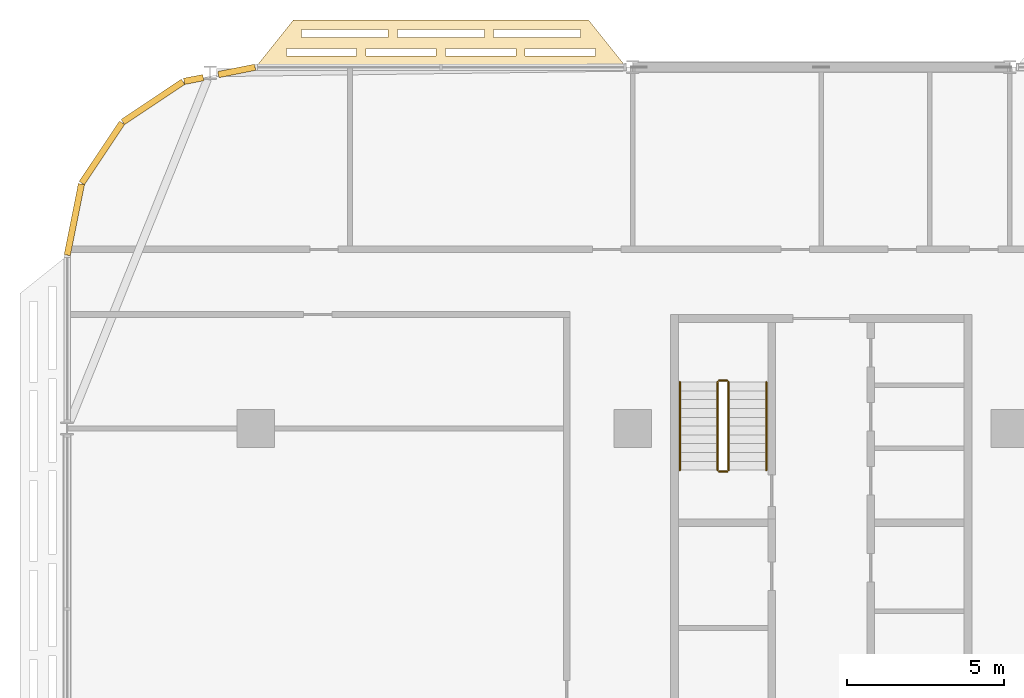
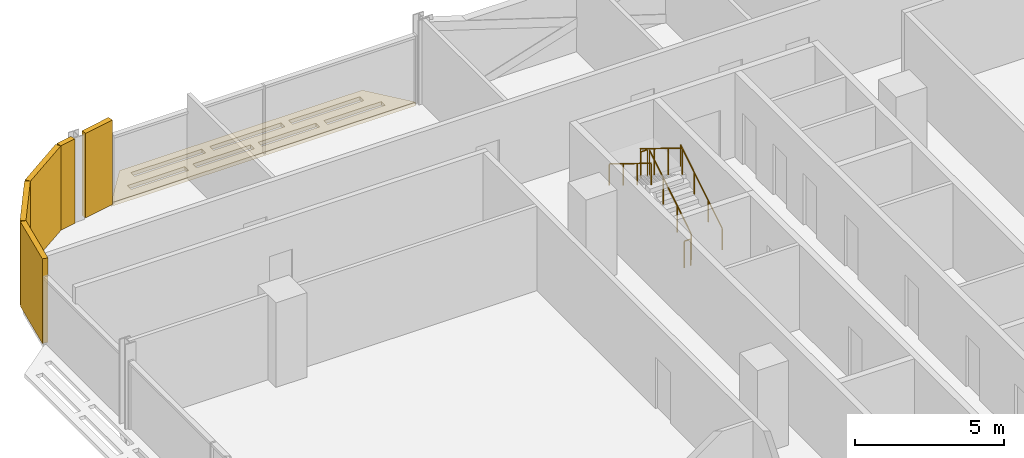
# One storey, part 24 of 27: 6 coverings, 6 railings.
"""IFC4 building model written with IfcOpenShell, lengths in metres."""

from ifc_helpers import new_model, si_unit, direction, frame, origin, origin_2d, place, context, subcontext, project, spatial, polyline, rectangle, circle, outline, extrude, material, layer, layer_set, type_object, element, save


model = new_model("IFC4")

# Units and contexts
model_context = context("Model", 3, precision=1e-05, world=origin(), true_north=direction((0.0, 1.0)))
body_context = subcontext(model_context, "Body", "Model", "MODEL_VIEW")
ifc_project = project(units=[si_unit("LENGTHUNIT", "METRE"), si_unit("AREAUNIT", "SQUARE_METRE"), si_unit("VOLUMEUNIT", "CUBIC_METRE"), si_unit("PLANEANGLEUNIT", "RADIAN"), si_unit("MASSUNIT", "GRAM", prefix="KILO")], contexts=[model_context])

# Site, building, storey
site_placement = place(None, origin())
site = spatial("IfcSite", under=ifc_project, at=site_placement, CompositionType="ELEMENT")
building_placement = place(site_placement, origin())
building = spatial("IfcBuilding", under=site, at=building_placement, Name="Mahtab Terrace Research Tower", CompositionType="ELEMENT")
storey_placement = place(building_placement, frame((0.0, 0.0, 182.0)))
storey = spatial("IfcBuildingStorey", under=building, at=storey_placement, Name="L43", CompositionType="ELEMENT", Elevation=182.0)

# Coverings
ifc_material_1 = material(Name="Black aluminium cladding panel", Category="aluminium")
ifc_layer_1 = layer(ifc_material_1, 0.199951171875)
ifc_layer_set_1 = layer_set([ifc_layer_1], Name="Black metal corner cladding 200")
covering_type_1 = type_object("IfcCoveringType", Name="Black metal corner cladding 200", PredefinedType="CLADDING", material=ifc_layer_set_1)
covering_1_placement = place(storey_placement, frame((-42.603271484375, 22.8798828125, 0.0), z_axis=(0.0, 0.0, 1.0), x_axis=(-0.980760981187, -0.195212442692, 0.0)))
element("IfcCovering", 1, at=covering_1_placement, inside=storey, type_object=covering_type_1, Name="Corner cladding L43 10", PredefinedType="CLADDING", context=body_context, shape_type="SweptSolid", body=[
    extrude(rectangle(XDim=1.1904296875, YDim=0.199951171875, at=origin_2d()), origin(), (0.0, 0.0, 1.0), 3.4599609375),
])
covering_2_placement = place(storey_placement, frame((-43.9716796875, 22.607666015625, 0.0), z_axis=(0.0, 0.0, 1.0), x_axis=(-0.980760981187, -0.195212442692, 0.0)))
element("IfcCovering", 2, at=covering_2_placement, inside=storey, type_object=covering_type_1, Name="Corner cladding L43 11", PredefinedType="CLADDING", context=body_context, shape_type="SweptSolid", body=[
    extrude(rectangle(XDim=0.62158203125, YDim=0.199951171875, at=origin_2d()), origin(), (0.0, 0.0, 1.0), 3.4599609375),
])
for number, where, z_axis, x_axis, name in (
    (3, (-45.26953125, 21.89306640625, 0.0), (0.0, 0.0, 1.0), (-0.831655794326, -0.555291490808, 0.0), "Corner cladding L43 12"),
    (4, (-46.89306640625, 20.26953125, 0.0), (0.0, 0.0, 1.0), (-0.555291490808, -0.831655794326, 0.0), "Corner cladding L43 13"),
    (5, (-47.771484375, 18.14794921875, 0.0), (0.0, 0.0, 1.0), (-0.195212442692, -0.980760981187, 0.0), "Corner cladding L43 14"),
):
    element("IfcCovering", number, at=place(storey_placement, frame(where, z_axis=z_axis, x_axis=x_axis)), inside=storey, type_object=covering_type_1, Name=name, PredefinedType="CLADDING", context=body_context, shape_type="SweptSolid", body=[
        extrude(rectangle(XDim=2.30126953125, YDim=0.199951171875, at=origin_2d()), origin(), (0.0, 0.0, 1.0), 3.4599609375),
    ])
ifc_material_2 = material(Name="Black anodised aluminium", Category="aluminium")
ifc_layer_2 = layer(ifc_material_2, 0.14990234375)
ifc_layer_set_2 = layer_set([ifc_layer_2], Name="Horizontal sunshade band")
covering_type_2 = type_object("IfcCoveringType", Name="Horizontal sunshade band", PredefinedType="CLADDING", material=ifc_layer_set_2)
covering_3_placement = place(storey_placement, frame((0.0, 0.0, -0.14990234375)))
element("IfcCovering", 6, at=covering_3_placement, inside=storey, type_object=covering_type_2, Name="Sunshade band L43 9", PredefinedType="CLADDING", context=body_context, shape_type="SweptSolid", body=[
    extrude(outline(polyline([(-30.2080078125, 23.0), (-42.0, 23.0), (-40.800048828125, 24.5), (-31.407958984375, 24.5), (-30.2080078125, 23.0)]), holes=[polyline([(-31.18798828125, 23.35009765625), (-33.4208984375, 23.35009765625), (-33.4208984375, 23.60009765625), (-31.18798828125, 23.60009765625), (-31.18798828125, 23.35009765625)]), polyline([(-33.720947265625, 23.35009765625), (-35.9541015625, 23.35009765625), (-35.9541015625, 23.60009765625), (-33.720947265625, 23.60009765625), (-33.720947265625, 23.35009765625)]), polyline([(-36.25390625, 23.35009765625), (-38.487060546875, 23.35009765625), (-38.487060546875, 23.60009765625), (-36.25390625, 23.60009765625), (-36.25390625, 23.35009765625)]), polyline([(-38.787109375, 23.35009765625), (-41.02001953125, 23.35009765625), (-41.02001953125, 23.60009765625), (-38.787109375, 23.60009765625), (-38.787109375, 23.35009765625)]), polyline([(-31.66796875, 23.949951171875), (-34.425048828125, 23.949951171875), (-34.425048828125, 24.199951171875), (-31.66796875, 24.199951171875), (-31.66796875, 23.949951171875)]), polyline([(-34.72509765625, 23.949951171875), (-37.48291015625, 23.949951171875), (-37.48291015625, 24.199951171875), (-34.72509765625, 24.199951171875), (-34.72509765625, 23.949951171875)]), polyline([(-37.782958984375, 23.949951171875), (-40.5400390625, 23.949951171875), (-40.5400390625, 24.199951171875), (-37.782958984375, 24.199951171875), (-37.782958984375, 23.949951171875)])]), origin(), (0.0, 0.0, 1.0), 0.14990234375),
])

# Railings
ifc_material_3 = material(Name="Stainless steel AISI 304", Category="steel")
railing_type_1 = type_object("IfcRailingType", Name="Stair guard 1100", PredefinedType="GUARDRAIL", material=ifc_material_3)
railing_1_placement = place(storey_placement, frame((-26.949951171875, 10.175048828125, 0.172607421875)))
element("IfcRailing", 7, at=railing_1_placement, inside=storey, type_object=railing_type_1, Name="L43 ST1 stair guard 1", PredefinedType="GUARDRAIL", context=body_context, shape_type="SweptSolid", body=[
    extrude(circle(Radius=0.02392578125, at=origin_2d()), frame((0.0, 0.0, 1.076171875), z_axis=(0.0, 0.851089632645, 0.525020415988), x_axis=(-1.0, 0.0, 0.0)), (0.0, 0.0, 1.0), 3.2900390625),
    extrude(circle(Radius=0.02099609375, at=origin_2d()), origin(), (0.0, 0.0, 1.0), 1.052001953125),
    extrude(circle(Radius=0.02099609375, at=origin_2d()), frame((0.0, 0.933349609375, 0.57568359375)), (0.0, 0.0, 1.0), 1.052001953125),
    extrude(circle(Radius=0.02099609375, at=origin_2d()), frame((0.0, 1.86669921875, 1.151611328125)), (0.0, 0.0, 1.0), 1.052001953125),
    extrude(circle(Radius=0.02099609375, at=origin_2d()), frame((0.0, 2.800048828125, 1.727294921875)), (0.0, 0.0, 1.0), 1.052001953125),
])
railing_2_placement = place(storey_placement, frame((-27.0, 13.02490234375, 1.89990234375)))
element("IfcRailing", 8, at=railing_2_placement, inside=storey, type_object=railing_type_1, Name="L43 ST1 stair guard 2", PredefinedType="GUARDRAIL", context=body_context, shape_type="SweptSolid", body=[
    extrude(circle(Radius=0.02392578125, at=origin_2d()), frame((0.0, 0.0, 1.076171875), z_axis=(-1.0, 0.0, 0.0), x_axis=(0.0, -1.0, 0.0)), (0.0, 0.0, 1.0), 0.25),
    extrude(circle(Radius=0.02099609375, at=origin_2d()), origin(), (0.0, 0.0, 1.0), 1.052001953125),
    extrude(circle(Radius=0.02099609375, at=origin_2d()), frame((-0.25, 0.0, 0.0)), (0.0, 0.0, 1.0), 1.052001953125),
])
railing_3_placement = place(storey_placement, frame((-27.300048828125, 12.97509765625, 2.07275390625)))
element("IfcRailing", 9, at=railing_3_placement, inside=storey, type_object=railing_type_1, Name="L43 ST1 stair guard 3", PredefinedType="GUARDRAIL", context=body_context, shape_type="SweptSolid", body=[
    extrude(circle(Radius=0.02392578125, at=origin_2d()), frame((0.0, 0.0, 1.076171875), z_axis=(0.0, -0.851089632645, 0.525020415988), x_axis=(1.0, 0.0, 0.0)), (0.0, 0.0, 1.0), 3.2900390625),
    extrude(circle(Radius=0.02099609375, at=origin_2d()), origin(), (0.0, 0.0, 1.0), 1.052001953125),
    extrude(circle(Radius=0.02099609375, at=origin_2d()), frame((0.0, -0.933349609375, 0.57568359375)), (0.0, 0.0, 1.0), 1.052001953125),
    extrude(circle(Radius=0.02099609375, at=origin_2d()), frame((0.0, -1.86669921875, 1.151611328125)), (0.0, 0.0, 1.0), 1.052001953125),
    extrude(circle(Radius=0.02099609375, at=origin_2d()), frame((0.0, -2.800048828125, 1.727294921875)), (0.0, 0.0, 1.0), 1.052001953125),
])
railing_4_placement = place(storey_placement, frame((-27.0, 10.125, 0.0)))
element("IfcRailing", 10, at=railing_4_placement, inside=storey, type_object=railing_type_1, Name="L43 ST1 stair guard 4", PredefinedType="GUARDRAIL", context=body_context, shape_type="SweptSolid", body=[
    extrude(circle(Radius=0.02392578125, at=origin_2d()), frame((0.0, 0.0, 1.076171875), z_axis=(-1.0, 0.0, 0.0), x_axis=(0.0, -1.0, 0.0)), (0.0, 0.0, 1.0), 0.25),
    extrude(circle(Radius=0.02099609375, at=origin_2d()), origin(), (0.0, 0.0, 1.0), 1.052001953125),
    extrude(circle(Radius=0.02099609375, at=origin_2d()), frame((-0.25, 0.0, 0.0)), (0.0, 0.0, 1.0), 1.052001953125),
])
railing_type_2 = type_object("IfcRailingType", Name="Stair handrail 900", PredefinedType="HANDRAIL", material=ifc_material_3)
railing_5_placement = place(storey_placement, frame((-25.75, 10.175048828125, 0.172607421875)))
element("IfcRailing", 11, at=railing_5_placement, inside=storey, type_object=railing_type_2, Name="L43 ST1 stair handrail 1", PredefinedType="HANDRAIL", context=body_context, shape_type="SweptSolid", body=[
    extrude(circle(Radius=0.02392578125, at=origin_2d()), frame((0.0, 0.0, 0.8759765625), z_axis=(0.0, 0.851089632645, 0.525020415988), x_axis=(-1.0, 0.0, 0.0)), (0.0, 0.0, 1.0), 3.2900390625),
    extrude(circle(Radius=0.02099609375, at=origin_2d()), origin(), (0.0, 0.0, 1.0), 0.851806640625),
    extrude(circle(Radius=0.02099609375, at=origin_2d()), frame((0.0, 0.933349609375, 0.57568359375)), (0.0, 0.0, 1.0), 0.851806640625),
    extrude(circle(Radius=0.02099609375, at=origin_2d()), frame((0.0, 1.86669921875, 1.151611328125)), (0.0, 0.0, 1.0), 0.851806640625),
    extrude(circle(Radius=0.02099609375, at=origin_2d()), frame((0.0, 2.800048828125, 1.727294921875)), (0.0, 0.0, 1.0), 0.851806640625),
])
railing_6_placement = place(storey_placement, frame((-28.5, 12.97509765625, 2.07275390625)))
element("IfcRailing", 12, at=railing_6_placement, inside=storey, type_object=railing_type_2, Name="L43 ST1 stair handrail 2", PredefinedType="HANDRAIL", context=body_context, shape_type="SweptSolid", body=[
    extrude(circle(Radius=0.02392578125, at=origin_2d()), frame((0.0, 0.0, 0.8759765625), z_axis=(0.0, -0.851089632645, 0.525020415988), x_axis=(1.0, 0.0, 0.0)), (0.0, 0.0, 1.0), 3.2900390625),
    extrude(circle(Radius=0.02099609375, at=origin_2d()), origin(), (0.0, 0.0, 1.0), 0.851806640625),
    extrude(circle(Radius=0.02099609375, at=origin_2d()), frame((0.0, -0.933349609375, 0.57568359375)), (0.0, 0.0, 1.0), 0.851806640625),
    extrude(circle(Radius=0.02099609375, at=origin_2d()), frame((0.0, -1.86669921875, 1.151611328125)), (0.0, 0.0, 1.0), 0.851806640625),
    extrude(circle(Radius=0.02099609375, at=origin_2d()), frame((0.0, -2.800048828125, 1.727294921875)), (0.0, 0.0, 1.0), 0.851806640625),
])

save(model, "model.ifc")
